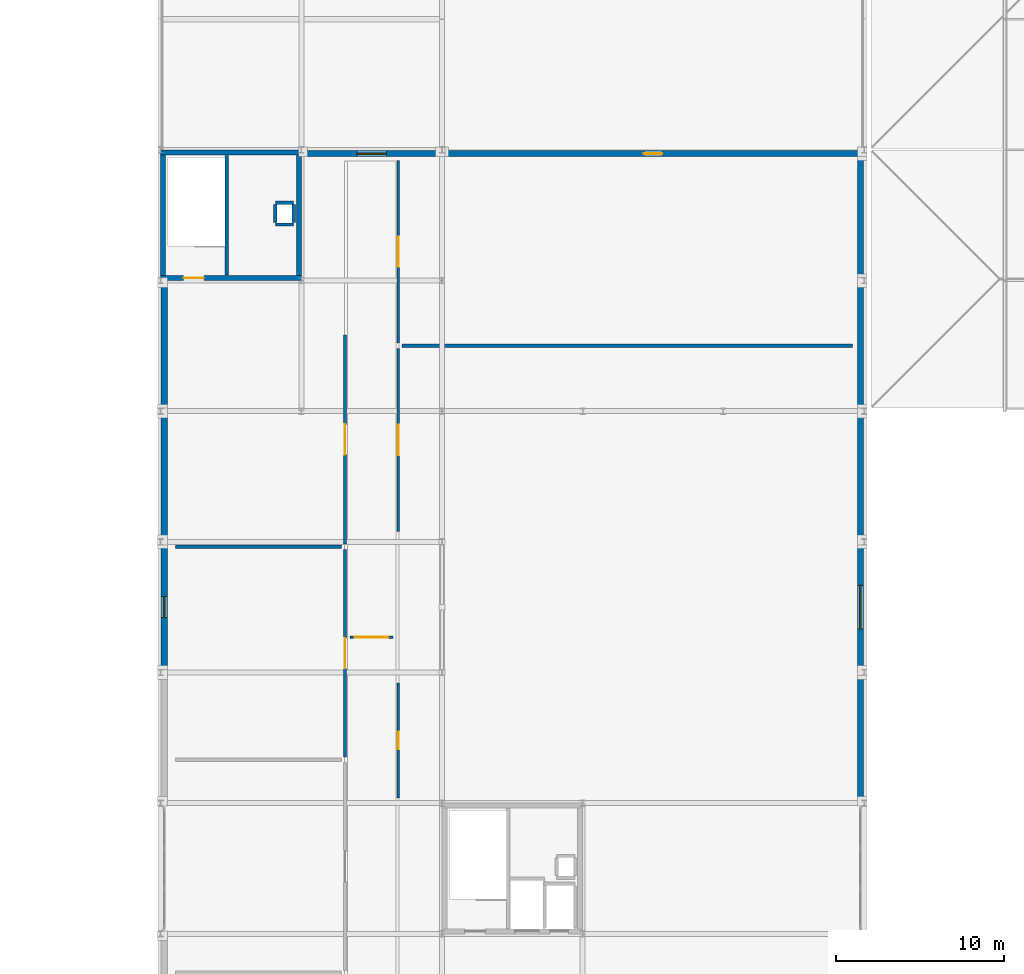
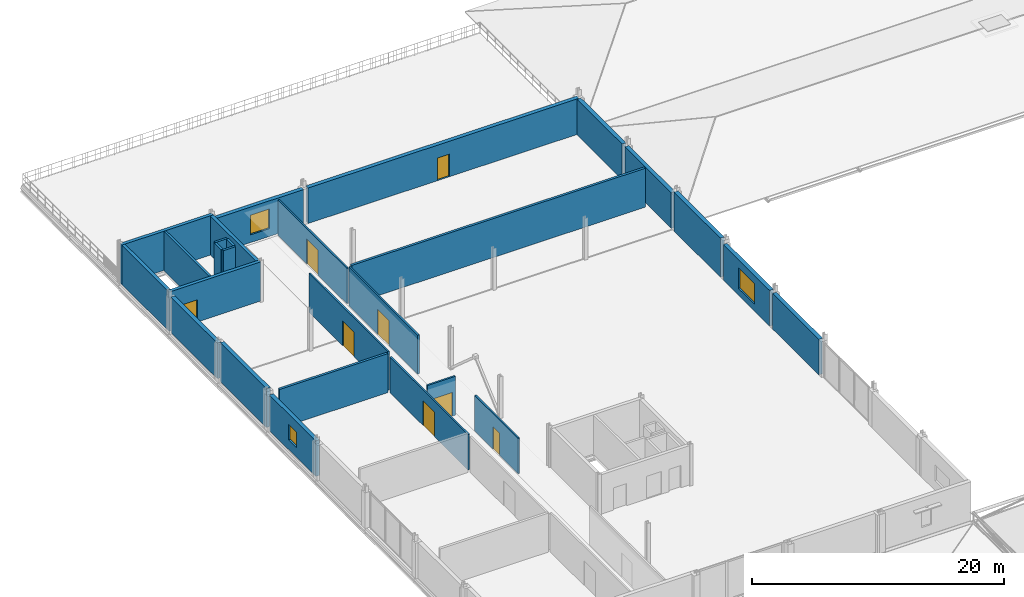
# One storey, part 57 of 77: 27 walls, 8 doors, 3 windows, 11 openings.
"""IFC4 building model written with IfcOpenShell, lengths in metres."""

import ifcopenshell
import ifcopenshell.guid

model = None  # the IFC model being written
_history = None  # IfcOwnerHistory: only IFC2X3 demands one
_inside = {}  # id of a spatial element -> (the spatial element, [elements in it])
_under = {}  # id of a project, library or spatial element -> (it, [spatial elements below it])
_declared = {}  # id of a project -> (the project, [libraries it declares])
_typed = {}  # id of a type object -> (the type object, [elements of that type])
_made_of = {}  # id of a material, layer set ... -> (it, [elements and type objects made of it])


def new_model(schema):
    """Start an empty IFC model of exactly this schema.

    Asked for "IFC4X3", IfcOpenShell would pick the latest addendum, in which some entities
    have other attributes; the version numbers below select the first issue.
    IFC2X3 requires an IfcOwnerHistory on every rooted entity: one is made here for all.
    """
    global model, _history
    if schema == "IFC4X3":
        model = ifcopenshell.file(schema_version=(4, 3, 0, 0))
    else:
        model = ifcopenshell.file(schema=schema)
    _inside.clear()
    _under.clear()
    _declared.clear()
    _typed.clear()
    _made_of.clear()
    _history = None
    if model.schema == "IFC2X3":
        org = make("IfcOrganization", Name="unknown")
        user = make(
            "IfcPersonAndOrganization",
            ThePerson=make("IfcPerson", FamilyName="unknown"),
            TheOrganization=org,
        )
        app = make(
            "IfcApplication",
            ApplicationDeveloper=org,
            Version="unknown",
            ApplicationFullName="unknown",
            ApplicationIdentifier="unknown",
        )
        _history = make(
            "IfcOwnerHistory",
            OwningUser=user,
            OwningApplication=app,
            ChangeAction="ADDED",
            CreationDate=0,
        )
    return model


def make(cls, **values):
    """One entity of the class cls with the attributes given. An attribute that is None is left unset."""
    return model.create_entity(
        cls, **{name: value for name, value in values.items() if value is not None}
    )


def rooted(cls, **values):
    """An entity with a GlobalId (a new one), such as an element, a storey or a relation."""
    return make(cls, GlobalId=ifcopenshell.guid.new(), OwnerHistory=_history, **values)


def si_unit(unit_type, name, prefix=None):
    """IfcSIUnit, for example si_unit("LENGTHUNIT", "METRE", prefix="MILLI")."""
    return make("IfcSIUnit", UnitType=unit_type, Prefix=prefix, Name=name)


def assignment(units):
    """IfcUnitAssignment: the units of a project."""
    return None if units is None else make("IfcUnitAssignment", Units=units)


def point(xyz):
    """IfcCartesianPoint."""
    return None if xyz is None else make("IfcCartesianPoint", Coordinates=xyz)


def direction(xyz):
    """IfcDirection."""
    return None if xyz is None else make("IfcDirection", DirectionRatios=xyz)


def frame(location, z_axis=None, x_axis=None):
    """IfcAxis2Placement3D, a coordinate frame: its origin and axes. An axis left out is left unset."""
    return make(
        "IfcAxis2Placement3D",
        Location=point(location),
        Axis=direction(z_axis),
        RefDirection=direction(x_axis),
    )


def frame_2d(location, x_axis=None):
    """IfcAxis2Placement2D, a coordinate frame in the plane: its origin and x axis."""
    return make(
        "IfcAxis2Placement2D", Location=point(location), RefDirection=direction(x_axis)
    )


def origin():
    """The frame at (0, 0, 0) with its axes left unset."""
    return frame((0.0, 0.0, 0.0))


def place(relative_to, where):
    """IfcLocalPlacement: puts the frame where relative to a parent placement (None: the world)."""
    return make(
        "IfcLocalPlacement", PlacementRelTo=relative_to, RelativePlacement=where
    )


def context(
    kind, dimensions, precision=None, world=None, true_north=None, identifier=None
):
    """IfcGeometricRepresentationContext, for example the 3D "Model" context."""
    return make(
        "IfcGeometricRepresentationContext",
        ContextIdentifier=identifier,
        ContextType=kind,
        CoordinateSpaceDimension=dimensions,
        Precision=precision,
        WorldCoordinateSystem=world,
        TrueNorth=true_north,
    )


def subcontext(parent, identifier, kind, view, scale=None):
    """IfcGeometricRepresentationSubContext, for example "Body" below "Model"."""
    return make(
        "IfcGeometricRepresentationSubContext",
        ContextIdentifier=identifier,
        ContextType=kind,
        ParentContext=parent,
        TargetScale=scale,
        TargetView=view,
    )


def project(units=None, contexts=None):
    """IfcProject with its units and contexts."""
    return rooted(
        "IfcProject",
        Name="project",
        RepresentationContexts=contexts,
        UnitsInContext=assignment(units),
    )


def spatial(cls, under=None, at=None, **own):
    """A site, building, storey or space (cls), placed at a placement, below another one or the project."""
    s = rooted(cls, ObjectPlacement=at, **own)
    if under is not None:
        _under.setdefault(under.id(), (under, []))[1].append(s)
    return s


def profile(cls, at=None, kind="AREA", **sizes):
    """A parametric profile (cls). Its sizes go by their IFC names, for example OverallWidth=200.0."""
    return make(cls, ProfileType=kind, Position=at, **sizes)


def rectangle(**sizes):
    """IfcRectangleProfileDef."""
    return profile("IfcRectangleProfileDef", **sizes)


def extrude(swept, where, along, depth):
    """IfcExtrudedAreaSolid: the profile swept, set in the frame where, extruded along a direction by depth."""
    return make(
        "IfcExtrudedAreaSolid",
        SweptArea=swept,
        Position=where,
        ExtrudedDirection=direction(along),
        Depth=depth,
    )


def shape(context_of_items, identifier, shape_type, items):
    """IfcShapeRepresentation: the items that make up one representation, for example the "Body"."""
    return make(
        "IfcShapeRepresentation",
        ContextOfItems=context_of_items,
        RepresentationIdentifier=identifier,
        RepresentationType=shape_type,
        Items=items,
    )


def material(Name=None, Category=None):
    """IfcMaterial."""
    return make("IfcMaterial", Name=Name, Category=Category)


def layer(
    of_material, thickness, ventilated=None, Name=None, Category=None, Priority=None
):
    """IfcMaterialLayer: one layer of a wall or slab, of a material (None: an air gap)."""
    return make(
        "IfcMaterialLayer",
        Material=of_material,
        LayerThickness=thickness,
        IsVentilated=ventilated,
        Name=Name,
        Category=Category,
        Priority=Priority,
    )


def layer_set(layers, Name=None):
    """IfcMaterialLayerSet."""
    return make("IfcMaterialLayerSet", MaterialLayers=layers, LayerSetName=Name)


def made_of(thing, what):
    """Note that an element or type object is made of a material, layer set ...; save() writes the relation."""
    if what is not None:
        _made_of.setdefault(what.id(), (what, []))[1].append(thing)
    return thing


def type_object(cls, material=None, **own):
    """A type object (cls), such as IfcWallType, which elements share."""
    return made_of(rooted(cls, **own), material)


def element(
    cls,
    number,
    at=None,
    inside=None,
    cuts=None,
    type_object=None,
    material=None,
    context=None,
    identifier="Body",
    shape_type=None,
    held_by="IfcProductDefinitionShape",
    body=None,
    shapes=None,
    **own,
):
    """One element of the class cls, such as IfcWall. Its Tag is "e" and its number.

    at: its placement. inside: the storey or other place that contains it. cuts: it is an
    opening in that element (IfcRelVoidsElement). A single representation is given by context,
    identifier, shape_type and body (its items); several are given by shapes. held_by: the class
    of the entity that holds the representations. save() writes the other relations.
    """
    e = rooted(cls, Tag="e%d" % number, ObjectPlacement=at, **own)
    if body is not None:
        shapes = [shape(context, identifier, shape_type, body)]
    if shapes is not None:
        e.Representation = make(held_by, Representations=shapes)
    if inside is not None:
        _inside.setdefault(inside.id(), (inside, []))[1].append(e)
    if cuts is not None:
        rooted(
            "IfcRelVoidsElement", RelatingBuildingElement=cuts, RelatedOpeningElement=e
        )
    if type_object is not None:
        _typed.setdefault(type_object.id(), (type_object, []))[1].append(e)
    return made_of(e, material)


def fill(opening, filler):
    """IfcRelFillsElement: the door or window that sits in an opening."""
    return rooted(
        "IfcRelFillsElement",
        RelatingOpeningElement=opening,
        RelatedBuildingElement=filler,
    )


def aggregate(whole, parts):
    """IfcRelAggregates: a whole, such as a stair, and the parts it consists of."""
    return rooted("IfcRelAggregates", RelatingObject=whole, RelatedObjects=parts)


def save(model, path):
    """Write the relations noted so far, then the file.

    IfcRelAggregates (storeys below a building ...), IfcRelContainedInSpatialStructure (elements
    in a storey), IfcRelDefinesByType, IfcRelAssociatesMaterial and IfcRelDeclares: one each for
    every whole, place, type object, material and project.
    """
    for whole, parts in _under.values():
        aggregate(whole, parts)
    for where, things in _inside.values():
        rooted(
            "IfcRelContainedInSpatialStructure",
            RelatedElements=things,
            RelatingStructure=where,
        )
    for kind, things in _typed.values():
        rooted("IfcRelDefinesByType", RelatedObjects=things, RelatingType=kind)
    for what, things in _made_of.values():
        rooted("IfcRelAssociatesMaterial", RelatedObjects=things, RelatingMaterial=what)
    for by, libraries in _declared.values():
        rooted("IfcRelDeclares", RelatingContext=by, RelatedDefinitions=libraries)
    model.write(path)


model = new_model("IFC4")

# Units and contexts
model_context = context("Model", 3, precision=1e-05, world=origin(), true_north=direction((0.0, 1.0)))
body_context = subcontext(model_context, "Body", "Model", "MODEL_VIEW")
ifc_project = project(units=[si_unit("LENGTHUNIT", "METRE"), si_unit("AREAUNIT", "SQUARE_METRE"), si_unit("VOLUMEUNIT", "CUBIC_METRE"), si_unit("PLANEANGLEUNIT", "RADIAN"), si_unit("MASSUNIT", "GRAM", prefix="KILO")], contexts=[model_context])

# Site, building, storey
site_placement = place(None, origin())
site = spatial("IfcSite", under=ifc_project, at=site_placement, CompositionType="ELEMENT")
building_placement = place(site_placement, origin())
building = spatial("IfcBuilding", under=site, at=building_placement, Name="Nabrawat Pavilion Hospital", CompositionType="ELEMENT")
storey_placement = place(building_placement, frame((0.0, 0.0, 14.85009765625)))
storey = spatial("IfcBuildingStorey", under=building, at=storey_placement, Name="L03", CompositionType="ELEMENT", Elevation=14.85009765625)

# Wall, opening, door
ifc_material_1 = material(Name="Gypsum Fireboard on Steel Stud", Category="steel")
ifc_layer_1 = layer(ifc_material_1, 0.14990234375, Name="Gypsum Fireboard on Steel Stud")
ifc_layer_set_1 = layer_set([ifc_layer_1], Name="Gypsum Fireboard on Steel Stud")
wall_type_1 = type_object("IfcWallType", Name="Clinical Corridor Smoke-Barrier Wall 150", PredefinedType="PARTITIONING", material=ifc_layer_set_1)
wall_1_placement = place(storey_placement, frame((27.81005859375, 65.14501953125, 0.0), z_axis=(0.0, 0.0, 1.0), x_axis=(0.0, 1.0, 0.0)))
wall_1 = element("IfcWall", 1, at=wall_1_placement, inside=storey, type_object=wall_type_1, Name="L03 Operating Theatre 15 Bariatric Minimally Invasive L03-03 Front Partition", PredefinedType="PARTITIONING", context=body_context, shape_type="SweptSolid", body=[
    extrude(rectangle(XDim=12.402587890625, YDim=0.14990234375, at=frame_2d((6.201171875, 0.0))), origin(), (0.0, 0.0, 1.0), 3.43994140625),
])
opening_1_placement = place(wall_1_placement, frame((5.30126953125, 0.0, 0.0)))
opening_1 = element("IfcOpeningElement", 2, at=opening_1_placement, cuts=wall_1, Name="Opening D-OR", PredefinedType="OPENING", context=body_context, shape_type="SweptSolid", body=[
    extrude(rectangle(XDim=1.800048828125, YDim=2.39990234375, at=frame_2d((0.89990234375, 1.199951171875))), frame((0.0, 0.0849609375, 0.0), z_axis=(0.0, -1.0, 0.0), x_axis=(1.0, 0.0, 0.0)), (0.0, 0.0, 1.0), 0.169921875),
])
ifc_material_2 = material(Name="Stainless-Clad Acoustic Timber and Vision Glass", Category="wood")
door_type_1 = type_object("IfcDoorType", Name="D-OR Hermetic Operating Theatre Automatic Door 1800x2400", OperationType="DOUBLE_DOOR_SLIDING", PredefinedType="DOOR", material=ifc_material_2)
door_1_placement = place(opening_1_placement, origin())
door_1 = element("IfcDoor", 3, at=door_1_placement, inside=storey, type_object=door_type_1, Name="Operating Theatre 15 Bariatric Minimally Invasive L03-03 Door", OperationType="DOUBLE_DOOR_SLIDING", OverallHeight=2.39990234375, OverallWidth=1.800048828125, PredefinedType="DOOR", context=body_context, shape_type="SweptSolid", body=[
    extrude(rectangle(XDim=1.800048828125, YDim=2.39990234375, at=frame_2d((0.89990234375, 1.199951171875))), frame((0.0, 0.02490234375, 0.0), z_axis=(0.0, -1.0, 0.0), x_axis=(1.0, 0.0, 0.0)), (0.0, 0.0, 1.0), 0.050048828125),
])
fill(opening_1, door_1)

wall_2_placement = place(storey_placement, frame((27.81005859375, 77.867431640625, 0.0), z_axis=(0.0, 0.0, 1.0), x_axis=(0.0, 1.0, 0.0)))
wall_2 = element("IfcWall", 4, at=wall_2_placement, inside=storey, type_object=wall_type_1, Name="L03 Operating Theatre 16 Emergency Obstetrics L03-04 Front Partition", PredefinedType="PARTITIONING", context=body_context, shape_type="SweptSolid", body=[
    extrude(rectangle(XDim=12.482666015625, YDim=0.14990234375, at=frame_2d((6.2412109375, 0.0))), origin(), (0.0, 0.0, 1.0), 3.77001953125),
])
opening_2_placement = place(wall_2_placement, frame((5.34130859375, 0.0, 0.0)))
opening_2 = element("IfcOpeningElement", 5, at=opening_2_placement, cuts=wall_2, Name="Opening D-OR", PredefinedType="OPENING", context=body_context, shape_type="SweptSolid", body=[
    extrude(rectangle(XDim=1.800048828125, YDim=2.39990234375, at=frame_2d((0.89990234375, 1.199951171875))), frame((0.0, 0.0849609375, 0.0), z_axis=(0.0, -1.0, 0.0), x_axis=(1.0, 0.0, 0.0)), (0.0, 0.0, 1.0), 0.169921875),
])
door_2_placement = place(opening_2_placement, origin())
door_2 = element("IfcDoor", 6, at=door_2_placement, inside=storey, type_object=door_type_1, Name="Operating Theatre 16 Emergency Obstetrics L03-04 Door", OperationType="DOUBLE_DOOR_SLIDING", OverallHeight=2.39990234375, OverallWidth=1.800048828125, PredefinedType="DOOR", context=body_context, shape_type="SweptSolid", body=[
    extrude(rectangle(XDim=1.800048828125, YDim=2.39990234375, at=frame_2d((0.89990234375, 1.199951171875))), frame((0.0, 0.02490234375, 0.0), z_axis=(0.0, -1.0, 0.0), x_axis=(1.0, 0.0, 0.0)), (0.0, 0.0, 1.0), 0.050048828125),
])
fill(opening_2, door_2)

wall_3_placement = place(storey_placement, frame((30.989990234375, 62.719970703125, 0.0), z_axis=(0.0, 0.0, 1.0), x_axis=(0.0, 1.0, 0.0)))
wall_3 = element("IfcWall", 7, at=wall_3_placement, inside=storey, type_object=wall_type_1, Name="L03 Surgical Staff Changing and Rest Suite L03-06 Front Partition", PredefinedType="PARTITIONING", context=body_context, shape_type="SweptSolid", body=[
    extrude(rectangle(XDim=6.860107421875, YDim=0.14990234375, at=frame_2d((3.43017578125, 0.0))), origin(), (0.0, 0.0, 1.0), 3.43994140625),
])
opening_3_placement = place(wall_3_placement, frame((2.905029296875, 0.0, 0.0)))
opening_3 = element("IfcOpeningElement", 8, at=opening_3_placement, cuts=wall_3, Name="Opening D-OPC-L", PredefinedType="OPENING", context=body_context, shape_type="SweptSolid", body=[
    extrude(rectangle(XDim=1.050048828125, YDim=2.14990234375, at=frame_2d((0.52490234375, 1.074951171875))), frame((0.0, 0.0849609375, 0.0), z_axis=(0.0, -1.0, 0.0), x_axis=(1.0, 0.0, 0.0)), (0.0, 0.0, 1.0), 0.169921875),
])
door_type_2 = type_object("IfcDoorType", Name="Outpatient Clinic Consultation Door L 1050x2150", OperationType="NOTDEFINED", PredefinedType="DOOR", material=ifc_material_2)
door_3_placement = place(opening_3_placement, origin())
door_3 = element("IfcDoor", 9, at=door_3_placement, inside=storey, type_object=door_type_2, Name="Surgical Staff Changing and Rest Suite L03-06 Door", OperationType="SINGLE_SWING_RIGHT", OverallHeight=2.14990234375, OverallWidth=1.050048828125, PredefinedType="DOOR", context=body_context, shape_type="SweptSolid", body=[
    extrude(rectangle(XDim=1.050048828125, YDim=2.14990234375, at=frame_2d((0.52490234375, 1.074951171875))), frame((0.0, 0.02490234375, 0.0), z_axis=(0.0, -1.0, 0.0), x_axis=(1.0, 0.0, 0.0)), (0.0, 0.0, 1.0), 0.050048828125),
])
fill(opening_3, door_3)

wall_4_placement = place(storey_placement, frame((30.989990234375, 78.6201171875, 0.0), z_axis=(0.0, 0.0, 1.0), x_axis=(0.0, 1.0, 0.0)))
wall_4 = element("IfcWall", 10, at=wall_4_placement, inside=storey, type_object=wall_type_1, Name="L03 Operating Theatre 13 Burns Grafting L03-07 Front Partition", PredefinedType="PARTITIONING", context=body_context, shape_type="SweptSolid", body=[
    extrude(rectangle(XDim=10.919921875, YDim=0.14990234375, at=frame_2d((5.4599609375, 0.0))), origin(), (0.0, 0.0, 1.0), 3.77001953125),
])
opening_4_placement = place(wall_4_placement, frame((4.56005859375, 0.0, 0.0)))
opening_4 = element("IfcOpeningElement", 11, at=opening_4_placement, cuts=wall_4, Name="Opening D-OR", PredefinedType="OPENING", context=body_context, shape_type="SweptSolid", body=[
    extrude(rectangle(XDim=1.800048828125, YDim=2.39990234375, at=frame_2d((0.89990234375, 1.199951171875))), frame((0.0, 0.0849609375, 0.0), z_axis=(0.0, -1.0, 0.0), x_axis=(1.0, 0.0, 0.0)), (0.0, 0.0, 1.0), 0.169921875),
])
door_4_placement = place(opening_4_placement, origin())
door_4 = element("IfcDoor", 12, at=door_4_placement, inside=storey, type_object=door_type_1, Name="Operating Theatre 13 Burns Grafting L03-07 Door", OperationType="DOUBLE_DOOR_SLIDING", OverallHeight=2.39990234375, OverallWidth=1.800048828125, PredefinedType="DOOR", context=body_context, shape_type="SweptSolid", body=[
    extrude(rectangle(XDim=1.800048828125, YDim=2.39990234375, at=frame_2d((0.89990234375, 1.199951171875))), frame((0.0, 0.02490234375, 0.0), z_axis=(0.0, -1.0, 0.0), x_axis=(1.0, 0.0, 0.0)), (0.0, 0.0, 1.0), 0.050048828125),
])
fill(opening_4, door_4)

wall_5_placement = place(storey_placement, frame((30.989990234375, 89.860107421875, 0.0), z_axis=(0.0, 0.0, 1.0), x_axis=(0.0, 1.0, 0.0)))
wall_5 = element("IfcWall", 13, at=wall_5_placement, inside=storey, type_object=wall_type_1, Name="L03 Operating Theatre 14 Spine Navigation L03-08 Front Partition", PredefinedType="PARTITIONING", context=body_context, shape_type="SweptSolid", body=[
    extrude(rectangle(XDim=10.919921875, YDim=0.14990234375, at=frame_2d((5.4599609375, 0.0))), origin(), (0.0, 0.0, 1.0), 3.43994140625),
])
opening_5_placement = place(wall_5_placement, frame((4.56005859375, 0.0, 0.0)))
opening_5 = element("IfcOpeningElement", 14, at=opening_5_placement, cuts=wall_5, Name="Opening D-OR", PredefinedType="OPENING", context=body_context, shape_type="SweptSolid", body=[
    extrude(rectangle(XDim=1.800048828125, YDim=2.39990234375, at=frame_2d((0.89990234375, 1.199951171875))), frame((0.0, 0.0849609375, 0.0), z_axis=(0.0, -1.0, 0.0), x_axis=(1.0, 0.0, 0.0)), (0.0, 0.0, 1.0), 0.169921875),
])
door_5_placement = place(opening_5_placement, origin())
door_5 = element("IfcDoor", 15, at=door_5_placement, inside=storey, type_object=door_type_1, Name="Operating Theatre 14 Spine Navigation L03-08 Door", OperationType="DOUBLE_DOOR_SLIDING", OverallHeight=2.39990234375, OverallWidth=1.800048828125, PredefinedType="DOOR", context=body_context, shape_type="SweptSolid", body=[
    extrude(rectangle(XDim=1.800048828125, YDim=2.39990234375, at=frame_2d((0.89990234375, 1.199951171875))), frame((0.0, 0.02490234375, 0.0), z_axis=(0.0, -1.0, 0.0), x_axis=(1.0, 0.0, 0.0)), (0.0, 0.0, 1.0), 0.050048828125),
])
fill(opening_5, door_5)

ifc_layer_2 = layer(ifc_material_1, 0.159912109375, Name="Gypsum Fireboard on Steel Stud")
ifc_layer_set_2 = layer_set([ifc_layer_2], Name="Gypsum Fireboard on Steel Stud")
wall_type_2 = type_object("IfcWallType", Name="Cross-Corridor Smoke-Compartment Wall 160", PredefinedType="PARTITIONING", material=ifc_layer_set_2)
wall_6_placement = place(storey_placement, frame((28.110107421875, 72.300048828125, 0.0), z_axis=(0.0, 0.0, 1.0), x_axis=(1.0, 0.0, 0.0)))
wall_6 = element("IfcWall", 16, at=wall_6_placement, inside=storey, type_object=wall_type_2, Name="L03 Cross-Corridor Smoke Compartment Wall", PredefinedType="PARTITIONING", context=body_context, shape_type="SweptSolid", body=[
    extrude(rectangle(XDim=2.579833984375, YDim=0.159912109375, at=frame_2d((1.2900390625, 0.0))), origin(), (0.0, 0.0, 1.0), 3.77001953125),
])
opening_6_placement = place(wall_6_placement, frame((0.2900390625, 0.0, 0.0)))
opening_6 = element("IfcOpeningElement", 17, at=opening_6_placement, cuts=wall_6, Name="Opening D-SMOKE", PredefinedType="OPENING", context=body_context, shape_type="SweptSolid", body=[
    extrude(rectangle(XDim=2.0, YDim=2.300048828125, at=frame_2d((1.0, 1.14990234375))), frame((0.0, 0.08984375, 0.0), z_axis=(0.0, -1.0, 0.0), x_axis=(1.0, 0.0, 0.0)), (0.0, 0.0, 1.0), 0.179931640625),
])
door_type_3 = type_object("IfcDoorType", Name="D-SMOKE Corridor Hold-Open Smoke Door 2000x2300", OperationType="NOTDEFINED", PredefinedType="DOOR", material=ifc_material_2)
door_6_placement = place(opening_6_placement, origin())
door_6 = element("IfcDoor", 18, at=door_6_placement, inside=storey, type_object=door_type_3, Name="L03 Cross-Corridor Hold-Open Smoke Door", OperationType="DOUBLE_SWING_LEFT", OverallHeight=2.300048828125, OverallWidth=2.0, PredefinedType="DOOR", context=body_context, shape_type="SweptSolid", body=[
    extrude(rectangle(XDim=2.0, YDim=2.300048828125, at=frame_2d((1.0, 1.14990234375))), frame((0.0, 0.02490234375, 0.0), z_axis=(0.0, -1.0, 0.0), x_axis=(1.0, 0.0, 0.0)), (0.0, 0.0, 1.0), 0.050048828125),
])
fill(opening_6, door_6)

# Walls
ifc_material_3 = material(Name="Concrete C35/45", Category="concrete")
ifc_layer_3 = layer(ifc_material_3, 0.199951171875, Name="Concrete C35/45")
ifc_layer_set_3 = layer_set([ifc_layer_3], Name="Concrete C35/45")
wall_type_3 = type_object("IfcWallType", Name="Lift and Riser Fire Shaft Wall 200", PredefinedType="PARTITIONING", material=ifc_layer_set_3)
wall_7_placement = place(storey_placement, frame((20.75, 93.919921875, 0.0), z_axis=(0.0, 0.0, 1.0), x_axis=(0.0, 1.0, 0.0)))
element("IfcWall", 19, at=wall_7_placement, inside=storey, type_object=wall_type_3, Name="L03 CORE-7 Stair-Lift Dividing Shear Wall", PredefinedType="SHEAR", context=body_context, shape_type="SweptSolid", body=[
    extrude(rectangle(XDim=7.16015625, YDim=0.199951171875, at=frame_2d((3.580078125, 0.0))), origin(), (0.0, 0.0, 1.0), 3.7998046875),
])
for number, where, z_axis, x_axis, name in (
    (20, (23.64990234375, 96.949951171875, 0.0), (0.0, 0.0, 1.0), (1.0, 0.0, 0.0), "L03 CORE-7 MEP Riser Shaft Wall S"),
    (21, (23.64990234375, 98.25, 0.0), (0.0, 0.0, 1.0), (1.0, 0.0, 0.0), "L03 CORE-7 MEP Riser Shaft Wall N"),
):
    element("IfcWall", number, at=place(storey_placement, frame(where, z_axis=z_axis, x_axis=x_axis)), inside=storey, type_object=wall_type_3, Name=name, PredefinedType="PARTITIONING", context=body_context, shape_type="SweptSolid", body=[
        extrude(rectangle(XDim=1.10009765625, YDim=0.199951171875, at=frame_2d((0.550048828125, 0.0))), origin(), (0.0, 0.0, 1.0), 3.43994140625),
    ])
for number, where, z_axis, x_axis, name in (
    (22, (23.64990234375, 97.070068359375, 0.0), (0.0, 0.0, 1.0), (0.0, 1.0, 0.0), "L03 CORE-7 MEP Riser Shaft Wall W"),
    (23, (24.75, 97.070068359375, 0.0), (0.0, 0.0, 1.0), (0.0, 1.0, 0.0), "L03 CORE-7 MEP Riser Shaft Wall E"),
):
    element("IfcWall", number, at=place(storey_placement, frame(where, z_axis=z_axis, x_axis=x_axis)), inside=storey, type_object=wall_type_3, Name=name, PredefinedType="PARTITIONING", context=body_context, shape_type="SweptSolid", body=[
        extrude(rectangle(XDim=1.059814453125, YDim=0.199951171875, at=frame_2d((0.52978515625, 0.0))), origin(), (0.0, 0.0, 1.0), 3.43994140625),
    ])

# Wall, opening, door
ifc_material_4 = material(Name="Concrete C40/50", Category="concrete")
ifc_layer_4 = layer(ifc_material_4, 0.300048828125, Name="Concrete C40/50")
ifc_layer_set_4 = layer_set([ifc_layer_4], Name="Concrete C40/50")
wall_type_4 = type_object("IfcWallType", Name="Reinforced Concrete Core Shear Wall 300", PredefinedType="SHEAR", material=ifc_layer_set_4)
wall_8_placement = place(storey_placement, frame((16.800048828125, 93.75, 0.0), z_axis=(0.0, 0.0, 1.0), x_axis=(1.0, 0.0, 0.0)))
wall_8 = element("IfcWall", 24, at=wall_8_placement, inside=storey, type_object=wall_type_4, Name="L03 CORE-7 South Core Shear Wall", PredefinedType="SHEAR", context=body_context, shape_type="SweptSolid", body=[
    extrude(rectangle(XDim=8.39990234375, YDim=0.300048828125, at=frame_2d((4.199951171875, 0.0))), origin(), (0.0, 0.0, 1.0), 3.7998046875),
])
opening_7_placement = place(wall_8_placement, frame((1.3798828125, 0.0, 0.0)))
opening_7 = element("IfcOpeningElement", 25, at=opening_7_placement, cuts=wall_8, Name="Opening D-STAIR", PredefinedType="OPENING", context=body_context, shape_type="SweptSolid", body=[
    extrude(rectangle(XDim=1.199951171875, YDim=2.14990234375, at=frame_2d((0.60009765625, 1.074951171875))), frame((0.0, 0.16015625, 0.0), z_axis=(0.0, -1.0, 0.0), x_axis=(1.0, 0.0, 0.0)), (0.0, 0.0, 1.0), 0.320068359375),
])
door_type_4 = type_object("IfcDoorType", Name="D-STAIR Exit Stair Fire Door 1200x2150", OperationType="NOTDEFINED", PredefinedType="DOOR", material=ifc_material_2)
door_7_placement = place(opening_7_placement, origin())
door_7 = element("IfcDoor", 26, at=door_7_placement, inside=storey, type_object=door_type_4, Name="L03 ST-07 Fire Exit Stair Door", OperationType="SINGLE_SWING_LEFT", OverallHeight=2.14990234375, OverallWidth=1.199951171875, PredefinedType="DOOR", context=body_context, shape_type="SweptSolid", body=[
    extrude(rectangle(XDim=1.199951171875, YDim=2.14990234375, at=frame_2d((0.60009765625, 1.074951171875))), frame((0.0, 0.02490234375, 0.0), z_axis=(0.0, -1.0, 0.0), x_axis=(1.0, 0.0, 0.0)), (0.0, 0.0, 1.0), 0.050048828125),
])
fill(opening_7, door_7)

# Walls
wall_9_placement = place(storey_placement, frame((16.800048828125, 101.25, 0.0), z_axis=(0.0, 0.0, 1.0), x_axis=(1.0, 0.0, 0.0)))
element("IfcWall", 27, at=wall_9_placement, inside=storey, type_object=wall_type_4, Name="L03 CORE-7 North Core Shear Wall", PredefinedType="SHEAR", context=body_context, shape_type="SweptSolid", body=[
    extrude(rectangle(XDim=8.39990234375, YDim=0.300048828125, at=frame_2d((4.199951171875, 0.0))), origin(), (0.0, 0.0, 1.0), 3.7998046875),
])
for number, where, z_axis, x_axis, name in (
    (28, (16.949951171875, 93.89990234375, 0.0), (0.0, 0.0, 1.0), (0.0, 1.0, 0.0), "L03 CORE-7 West Core Shear Wall"),
    (29, (25.050048828125, 93.89990234375, 0.0), (0.0, 0.0, 1.0), (0.0, 1.0, 0.0), "L03 CORE-7 East Core Shear Wall"),
):
    element("IfcWall", number, at=place(storey_placement, frame(where, z_axis=z_axis, x_axis=x_axis)), inside=storey, type_object=wall_type_4, Name=name, PredefinedType="SHEAR", context=body_context, shape_type="SweptSolid", body=[
        extrude(rectangle(XDim=7.2001953125, YDim=0.300048828125, at=frame_2d((3.60009765625, 0.0))), origin(), (0.0, 0.0, 1.0), 3.7998046875),
    ])

# Wall, opening, window
ifc_material_5 = material(Name="Precast concrete C40/50", Category="concrete")
ifc_layer_5 = layer(ifc_material_5, 0.360107421875, Name="Precast concrete C40/50")
ifc_layer_set_5 = layer_set([ifc_layer_5], Name="Precast concrete C40/50")
wall_type_5 = type_object("IfcWallType", Name="Surgical Acoustic Precast Facade Wall 360", PredefinedType="SOLIDWALL", material=ifc_layer_set_5)
wall_10_placement = place(storey_placement, frame((17.02001953125, 70.425048828125, 0.0), z_axis=(0.0, 0.0, 1.0), x_axis=(0.0, 1.0, 0.0)))
wall_10 = element("IfcWall", 30, at=wall_10_placement, inside=storey, type_object=wall_type_5, Name="L03 Surgical Acoustic Precast Facade Wall 360 303", PredefinedType="SOLIDWALL", context=body_context, shape_type="SweptSolid", body=[
    extrude(rectangle(XDim=7.349853515625, YDim=0.360107421875, at=frame_2d((3.6748046875, 0.0))), origin(), (0.0, 0.0, 1.0), 3.43994140625),
])
opening_8_placement = place(wall_10_placement, frame((3.050048828125, 0.0, 0.949951171875)))
opening_8 = element("IfcOpeningElement", 31, at=opening_8_placement, cuts=wall_10, Name="Opening WN-17", PredefinedType="OPENING", context=body_context, shape_type="SweptSolid", body=[
    extrude(rectangle(XDim=1.25, YDim=1.5, at=frame_2d((0.625, 0.75))), frame((0.0, 0.18994140625, 0.0), z_axis=(0.0, -1.0, 0.0), x_axis=(1.0, 0.0, 0.0)), (0.0, 0.0, 1.0), 0.380126953125),
])
ifc_material_6 = material(Name="Thermally Broken Aluminium and Solar Glass", Category="aluminium")
window_type_1 = type_object("IfcWindowType", Name="Administration Office Window 1250x1500", PartitioningType="SINGLE_PANEL", PredefinedType="WINDOW", material=ifc_material_6)
window_1_placement = place(opening_8_placement, origin())
window_1 = element("IfcWindow", 32, at=window_1_placement, inside=storey, type_object=window_type_1, Name="L03 Administration Office Window 1250x1500 113", OverallHeight=1.5, OverallWidth=1.25, PartitioningType="SINGLE_PANEL", PredefinedType="WINDOW", context=body_context, shape_type="SweptSolid", body=[
    extrude(rectangle(XDim=1.25, YDim=1.5, at=frame_2d((0.625, 0.75))), frame((0.0, 0.030029296875, 0.0), z_axis=(0.0, -1.0, 0.0), x_axis=(1.0, 0.0, 0.0)), (0.0, 0.0, 1.0), 0.06005859375),
])
fill(opening_8, window_1)

# Walls
wall_11_placement = place(storey_placement, frame((17.02001953125, 78.22509765625, 0.0), z_axis=(0.0, 0.0, 1.0), x_axis=(0.0, 1.0, 0.0)))
element("IfcWall", 33, at=wall_11_placement, inside=storey, type_object=wall_type_5, Name="L03 Surgical Acoustic Precast Facade Wall 360 304", PredefinedType="SOLIDWALL", context=body_context, shape_type="SweptSolid", body=[
    extrude(rectangle(XDim=7.349853515625, YDim=0.360107421875, at=frame_2d((3.6748046875, 0.0))), origin(), (0.0, 0.0, 1.0), 3.77001953125),
])
wall_12_placement = place(storey_placement, frame((17.02001953125, 86.02490234375, 0.0), z_axis=(0.0, 0.0, 1.0), x_axis=(0.0, 1.0, 0.0)))
element("IfcWall", 34, at=wall_12_placement, inside=storey, type_object=wall_type_5, Name="L03 Surgical Acoustic Precast Facade Wall 360 305", PredefinedType="SOLIDWALL", context=body_context, shape_type="SweptSolid", body=[
    extrude(rectangle(XDim=7.35009765625, YDim=0.360107421875, at=frame_2d((3.675048828125, 0.0))), origin(), (0.0, 0.0, 1.0), 3.43994140625),
])

# Wall, opening, window
wall_13_placement = place(storey_placement, frame((25.39990234375, 101.179931640625, 0.0), z_axis=(0.0, 0.0, 1.0), x_axis=(1.0, 0.0, 0.0)))
wall_13 = element("IfcWall", 35, at=wall_13_placement, inside=storey, type_object=wall_type_5, Name="L03 Surgical Acoustic Precast Facade Wall 360 310", PredefinedType="SOLIDWALL", context=body_context, shape_type="SweptSolid", body=[
    extrude(rectangle(XDim=8.0, YDim=0.360107421875, at=frame_2d((4.0, 0.0))), origin(), (0.0, 0.0, 1.0), 3.43994140625),
])
opening_9_placement = place(wall_13_placement, frame((3.125, 0.0, 0.75)))
opening_9 = element("IfcOpeningElement", 36, at=opening_9_placement, cuts=wall_13, Name="Opening WN-20", PredefinedType="OPENING", context=body_context, shape_type="SweptSolid", body=[
    extrude(rectangle(XDim=1.75, YDim=1.89990234375, at=frame_2d((0.875, 0.949951171875))), frame((0.0, 0.18994140625, 0.0), z_axis=(0.0, -1.0, 0.0), x_axis=(1.0, 0.0, 0.0)), (0.0, 0.0, 1.0), 0.380126953125),
])
window_type_2 = type_object("IfcWindowType", Name="Corridor End Daylight Window 1750x1900", PartitioningType="SINGLE_PANEL", PredefinedType="WINDOW", material=ifc_material_6)
window_2_placement = place(opening_9_placement, origin())
window_2 = element("IfcWindow", 37, at=window_2_placement, inside=storey, type_object=window_type_2, Name="L03 Corridor End Daylight Window 1750x1900 116", OverallHeight=1.89990234375, OverallWidth=1.75, PartitioningType="SINGLE_PANEL", PredefinedType="WINDOW", context=body_context, shape_type="SweptSolid", body=[
    extrude(rectangle(XDim=1.75, YDim=1.89990234375, at=frame_2d((0.875, 0.949951171875))), frame((0.0, 0.030029296875, 0.0), z_axis=(0.0, -1.0, 0.0), x_axis=(1.0, 0.0, 0.0)), (0.0, 0.0, 1.0), 0.06005859375),
])
fill(opening_9, window_2)

# Wall, opening, door
wall_14_placement = place(storey_placement, frame((33.800048828125, 101.179931640625, 0.0), z_axis=(0.0, 0.0, 1.0), x_axis=(1.0, 0.0, 0.0)))
wall_14 = element("IfcWall", 38, at=wall_14_placement, inside=storey, type_object=wall_type_5, Name="L03 Surgical Acoustic Precast Facade Wall 360 311", PredefinedType="SOLIDWALL", context=body_context, shape_type="SweptSolid", body=[
    extrude(rectangle(XDim=24.800048828125, YDim=0.360107421875, at=frame_2d((12.39990234375, 0.0))), origin(), (0.0, 0.0, 1.0), 3.43994140625),
])
opening_10_placement = place(wall_14_placement, frame((11.85009765625, 0.0, 0.0)))
opening_10 = element("IfcOpeningElement", 39, at=opening_10_placement, cuts=wall_14, Name="Opening ED-TER-110", PredefinedType="OPENING", context=body_context, shape_type="SweptSolid", body=[
    extrude(rectangle(XDim=1.10009765625, YDim=2.199951171875, at=frame_2d((0.550048828125, 1.10009765625))), frame((0.0, 0.18994140625, 0.0), z_axis=(0.0, -1.0, 0.0), x_axis=(1.0, 0.0, 0.0)), (0.0, 0.0, 1.0), 0.380126953125),
])
ifc_material_7 = material(Name="Powder-Coated Galvanised Steel and Safety Glass", Category="steel")
door_type_5 = type_object("IfcDoorType", Name="Forecourt Access Single Door 1100x2200", OperationType="NOTDEFINED", PredefinedType="DOOR", material=ifc_material_7)
door_8_placement = place(opening_10_placement, origin())
door_8 = element("IfcDoor", 40, at=door_8_placement, inside=storey, type_object=door_type_5, Name="L03 Surgical North Clinical Terrace Access Door", OperationType="SINGLE_SWING_RIGHT", OverallHeight=2.199951171875, OverallWidth=1.10009765625, PredefinedType="DOOR", context=body_context, shape_type="SweptSolid", body=[
    extrude(rectangle(XDim=1.10009765625, YDim=2.199951171875, at=frame_2d((0.550048828125, 1.10009765625))), frame((0.0, 0.02490234375, 0.0), z_axis=(0.0, -1.0, 0.0), x_axis=(1.0, 0.0, 0.0)), (0.0, 0.0, 1.0), 0.050048828125),
])
fill(opening_10, door_8)

# Wall
wall_15_placement = place(storey_placement, frame((58.580078125, 62.625, 0.0), z_axis=(0.0, 0.0, 1.0), x_axis=(0.0, 1.0, 0.0)))
element("IfcWall", 41, at=wall_15_placement, inside=storey, type_object=wall_type_5, Name="L03 Surgical Acoustic Precast Facade Wall 360 314", PredefinedType="SOLIDWALL", context=body_context, shape_type="SweptSolid", body=[
    extrude(rectangle(XDim=7.35009765625, YDim=0.360107421875, at=frame_2d((3.675048828125, 0.0))), origin(), (0.0, 0.0, 1.0), 3.43994140625),
])

# Wall, opening, window
wall_16_placement = place(storey_placement, frame((58.580078125, 70.425048828125, 0.0), z_axis=(0.0, 0.0, 1.0), x_axis=(0.0, 1.0, 0.0)))
wall_16 = element("IfcWall", 42, at=wall_16_placement, inside=storey, type_object=wall_type_5, Name="L03 Surgical Acoustic Precast Facade Wall 360 315", PredefinedType="SOLIDWALL", context=body_context, shape_type="SweptSolid", body=[
    extrude(rectangle(XDim=7.349853515625, YDim=0.360107421875, at=frame_2d((3.6748046875, 0.0))), origin(), (0.0, 0.0, 1.0), 3.43994140625),
])
opening_11_placement = place(wall_16_placement, frame((2.375, 0.0, 0.64990234375)))
opening_11 = element("IfcOpeningElement", 43, at=opening_11_placement, cuts=wall_16, Name="Opening WN-22", PredefinedType="OPENING", context=body_context, shape_type="SweptSolid", body=[
    extrude(rectangle(XDim=2.60009765625, YDim=2.0, at=frame_2d((1.300048828125, 1.0))), frame((0.0, 0.18994140625, 0.0), z_axis=(0.0, -1.0, 0.0), x_axis=(1.0, 0.0, 0.0)), (0.0, 0.0, 1.0), 0.380126953125),
])
window_type_3 = type_object("IfcWindowType", Name="Rehabilitation Gym Tall Window 2600x2000", PartitioningType="SINGLE_PANEL", PredefinedType="WINDOW", material=ifc_material_6)
window_3_placement = place(opening_11_placement, origin())
window_3 = element("IfcWindow", 44, at=window_3_placement, inside=storey, type_object=window_type_3, Name="L03 Rehabilitation Gym Tall Window 2600x2000 118", OverallHeight=2.0, OverallWidth=2.60009765625, PartitioningType="SINGLE_PANEL", PredefinedType="WINDOW", context=body_context, shape_type="SweptSolid", body=[
    extrude(rectangle(XDim=2.60009765625, YDim=2.0, at=frame_2d((1.300048828125, 1.0))), frame((0.0, 0.030029296875, 0.0), z_axis=(0.0, -1.0, 0.0), x_axis=(1.0, 0.0, 0.0)), (0.0, 0.0, 1.0), 0.06005859375),
])
fill(opening_11, window_3)

# Walls
wall_17_placement = place(storey_placement, frame((58.580078125, 78.22509765625, 0.0), z_axis=(0.0, 0.0, 1.0), x_axis=(0.0, 1.0, 0.0)))
element("IfcWall", 45, at=wall_17_placement, inside=storey, type_object=wall_type_5, Name="L03 Surgical Acoustic Precast Facade Wall 360 316", PredefinedType="SOLIDWALL", context=body_context, shape_type="SweptSolid", body=[
    extrude(rectangle(XDim=7.349853515625, YDim=0.360107421875, at=frame_2d((3.6748046875, 0.0))), origin(), (0.0, 0.0, 1.0), 3.77001953125),
])
wall_18_placement = place(storey_placement, frame((58.580078125, 86.02490234375, 0.0), z_axis=(0.0, 0.0, 1.0), x_axis=(0.0, 1.0, 0.0)))
element("IfcWall", 46, at=wall_18_placement, inside=storey, type_object=wall_type_5, Name="L03 Surgical Acoustic Precast Facade Wall 360 317", PredefinedType="SOLIDWALL", context=body_context, shape_type="SweptSolid", body=[
    extrude(rectangle(XDim=7.35009765625, YDim=0.360107421875, at=frame_2d((3.675048828125, 0.0))), origin(), (0.0, 0.0, 1.0), 3.43994140625),
])
wall_19_placement = place(storey_placement, frame((58.580078125, 93.824951171875, 0.0), z_axis=(0.0, 0.0, 1.0), x_axis=(0.0, 1.0, 0.0)))
element("IfcWall", 47, at=wall_19_placement, inside=storey, type_object=wall_type_5, Name="L03 Surgical Acoustic Precast Facade Wall 360 318", PredefinedType="SOLIDWALL", context=body_context, shape_type="SweptSolid", body=[
    extrude(rectangle(XDim=7.135009765625, YDim=0.360107421875, at=frame_2d((3.5673828125, 0.0))), origin(), (0.0, 0.0, 1.0), 3.43994140625),
])
ifc_material_8 = material(Name="Hygienic Gypsum and Lead Core", Category="gypsum")
ifc_layer_6 = layer(ifc_material_8, 0.219970703125, Name="Hygienic Gypsum and Lead Core")
ifc_layer_set_6 = layer_set([ifc_layer_6], Name="Hygienic Gypsum and Lead Core")
wall_type_6 = type_object("IfcWallType", Name="Surgical Hygienic Lead-Shielded Wall 220", PredefinedType="PARTITIONING", material=ifc_layer_set_6)
wall_20_placement = place(storey_placement, frame((17.68994140625, 77.70751953125, 0.0), z_axis=(0.0, 0.0, 1.0), x_axis=(1.0, 0.0, 0.0)))
element("IfcWall", 48, at=wall_20_placement, inside=storey, type_object=wall_type_6, Name="L03 Operating Theatre 15 Bariatric Minimally Invasive L03-03 Dividing Partition", PredefinedType="PARTITIONING", context=body_context, shape_type="SweptSolid", body=[
    extrude(rectangle(XDim=9.900146484375, YDim=0.219970703125, at=frame_2d((4.9501953125, 0.0))), origin(), (0.0, 0.0, 1.0), 3.77001953125),
])
wall_21_placement = place(storey_placement, frame((31.2099609375, 89.699951171875, 0.0), z_axis=(0.0, 0.0, 1.0), x_axis=(1.0, 0.0, 0.0)))
element("IfcWall", 49, at=wall_21_placement, inside=storey, type_object=wall_type_6, Name="L03 Operating Theatre 13 Burns Grafting L03-07 Dividing Partition", PredefinedType="PARTITIONING", context=body_context, shape_type="SweptSolid", body=[
    extrude(rectangle(XDim=26.900146484375, YDim=0.219970703125, at=frame_2d((13.4501953125, 0.0))), origin(), (0.0, 0.0, 1.0), 3.77001953125),
])

save(model, "model.ifc")
